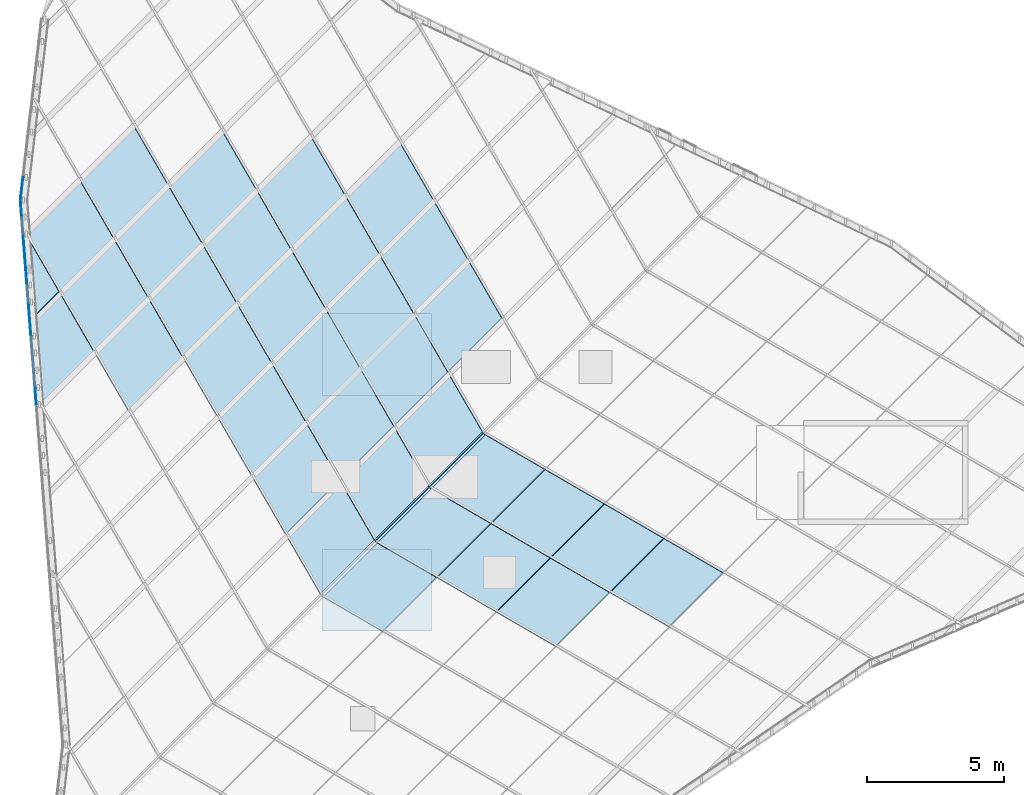
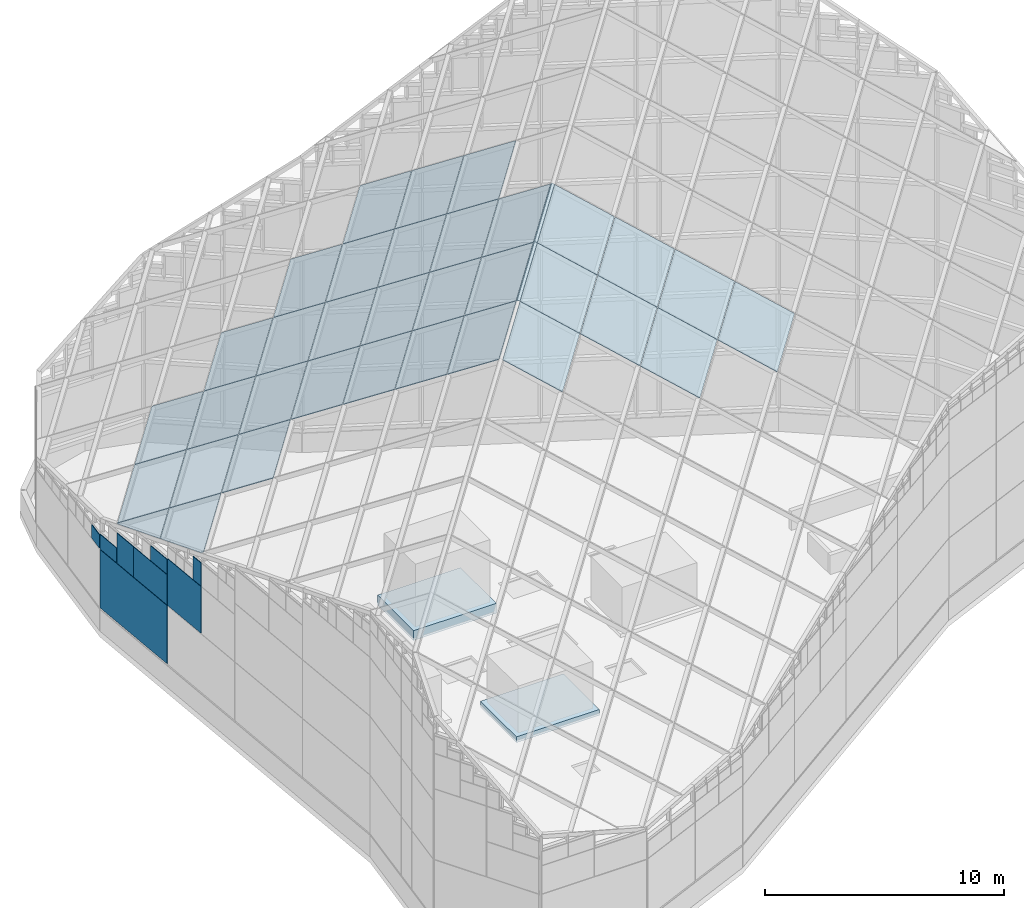
# One storey, part 17 of 29: 46 plates, 2 slabs, 1 element without a shape of its own.
"""IFC4 building model written with IfcOpenShell, lengths in metres."""

from ifc_helpers import new_model, si_unit, direction, frame, origin, place, context, subcontext, project, spatial, polyline, outline, extrude, material, layer, layer_set, type_object, element, aggregate, save


model = new_model("IFC4")

# Units and contexts
model_context = context("Model", 3, precision=1e-05, world=origin(), true_north=direction((0.0, 1.0)))
body_context = subcontext(model_context, "Body", "Model", "MODEL_VIEW")
ifc_project = project(units=[si_unit("LENGTHUNIT", "METRE"), si_unit("AREAUNIT", "SQUARE_METRE"), si_unit("VOLUMEUNIT", "CUBIC_METRE"), si_unit("PLANEANGLEUNIT", "RADIAN"), si_unit("MASSUNIT", "GRAM", prefix="KILO")], contexts=[model_context])

# Site, building, storey
site_placement = place(None, origin())
site = spatial("IfcSite", under=ifc_project, at=site_placement, CompositionType="ELEMENT")
building_placement = place(site_placement, origin())
building = spatial("IfcBuilding", under=site, at=building_placement, Name="Tanit Gate Tower", CompositionType="ELEMENT")
storey_placement = place(building_placement, frame((0.0, 0.0, 445.300048828125)))
storey = spatial("IfcBuildingStorey", under=building, at=storey_placement, Name="ROOF", CompositionType="ELEMENT", Elevation=445.300048828125)

# Slabs
ifc_material_1 = material(Name="Concrete C30/37", Category="concrete")
ifc_layer_1 = layer(ifc_material_1, 0.300048828125)
ifc_layer_set_1 = layer_set([ifc_layer_1], Name="EQUIPMENT PLINTH 300 C30/37")
slab_type_1 = type_object("IfcSlabType", Name="EQUIPMENT PLINTH 300 C30/37", PredefinedType="USERDEFINED", material=ifc_layer_set_1)
slab_1_placement = place(storey_placement, origin())
element("IfcSlab", 1, at=slab_1_placement, inside=storey, type_object=slab_type_1, Name="Air handling unit plinth 3", ObjectType="EQUIPMENT PLINTH", PredefinedType="USERDEFINED", context=body_context, shape_type="SweptSolid", body=[
    extrude(outline(polyline([(-4.5, -5.800048828125), (-0.5, -5.800048828125), (-0.5, -2.800048828125), (-4.5, -2.800048828125), (-4.5, -5.800048828125)])), origin(), (0.0, 0.0, 1.0), 0.300048828125),
])
ifc_material_2 = material(Name="Concrete C40/50", Category="concrete")
ifc_layer_2 = layer(ifc_material_2, 0.5)
ifc_layer_set_2 = layer_set([ifc_layer_2], Name="EQUIPMENT PLINTH 500 C40/50")
slab_type_2 = type_object("IfcSlabType", Name="EQUIPMENT PLINTH 500 C40/50", PredefinedType="USERDEFINED", material=ifc_layer_set_2)
slab_2_placement = place(storey_placement, origin())
element("IfcSlab", 2, at=slab_2_placement, inside=storey, type_object=slab_type_2, Name="Cooling tower plinth 2", ObjectType="EQUIPMENT PLINTH", PredefinedType="USERDEFINED", context=body_context, shape_type="SweptSolid", body=[
    extrude(outline(polyline([(-4.5, 2.800048828125), (-0.5, 2.800048828125), (-0.5, 5.800048828125), (-4.5, 5.800048828125), (-4.5, 2.800048828125)])), origin(), (0.0, 0.0, 1.0), 0.5),
])

# Curtain wall, plates
ifc_material_3 = material(Name="Aluminium bronze anodised and glass", Category="aluminium")
curtain_wall_type = type_object("IfcCurtainWallType", Name="Curtain wall crown roof", PredefinedType="NOTDEFINED", material=ifc_material_3)
curtain_wall_placement = place(storey_placement, origin())
curtain_wall = element("IfcCurtainWall", 3, at=curtain_wall_placement, inside=storey, type_object=curtain_wall_type, Name="Crown lantern", PredefinedType="NOTDEFINED")
ifc_material_4 = material(Name="Glass tinted laminated safety", Category="glass")
ifc_layer_3 = layer(ifc_material_4, 0.033935546875)
ifc_layer_set_3 = layer_set([ifc_layer_3], Name="Glass panel 34 crown roof")
plate_type = type_object("IfcPlateType", Name="Glass panel 34 crown roof", PredefinedType="CURTAIN_PANEL", material=ifc_layer_set_3)
plate_1_placement = place(storey_placement, frame((-15.428466796875, 10.778076171875, 4.21484375), z_axis=(-0.993225154196, 0.116205822022, 0.0), x_axis=(-0.116205822022, -0.993225154196, 0.0)))
plate_1 = element("IfcPlate", 4, at=plate_1_placement, type_object=plate_type, Name="Lantern clerestory glass 13.2.4", PredefinedType="CURTAIN_PANEL", context=body_context, shape_type="SweptSolid", body=[
    extrude(outline(polyline([(0.0, 0.0), (0.8025563360505868, 0.0), (0.8025563360505868, 0.691162109375), (0.0, 0.691162109375), (0.0, 0.0)])), origin(), (0.0, 0.0, -1.0), 0.033935546875),
])
plate_2_placement = place(storey_placement, frame((-15.52294921875, 9.925048828125, 1.21484375), z_axis=(-0.996965543394, -0.077844108862, 0.0), x_axis=(0.077844108862, -0.996965543394, 0.0)))
plate_2 = element("IfcPlate", 5, at=plate_2_placement, type_object=plate_type, Name="Lantern clerestory glass 14.1.1", PredefinedType="CURTAIN_PANEL", context=body_context, shape_type="SweptSolid", body=[
    extrude(outline(polyline([(0.0, 0.0), (4.961588929426632, 0.0), (4.961588929426632, 2.97021484375), (0.0, 2.97021484375), (0.0, 0.0)])), origin(), (0.0, 0.0, -1.0), 0.033935546875),
])
plate_3_placement = place(storey_placement, frame((-15.52294921875, 9.925048828125, 4.21484375), z_axis=(-0.996970162903, -0.077784923227, 0.0), x_axis=(0.077784923227, -0.996970162903, 0.0)))
plate_3 = element("IfcPlate", 6, at=plate_3_placement, type_object=plate_type, Name="Lantern clerestory glass 14.2.1", PredefinedType="CURTAIN_PANEL", context=body_context, shape_type="SweptSolid", body=[
    extrude(outline(polyline([(0.0, 0.0), (1.217801066974618, 0.0), (1.217801066974618, 0.7539062500000002), (0.0, 0.7539062500000002), (0.0, 0.0)])), origin(), (0.0, 0.0, -1.0), 0.033935546875),
])
plate_4_placement = place(storey_placement, frame((-15.42578125, 8.680908203125, 4.21484375), z_axis=(-0.996970162903, -0.077784923227, 0.0), x_axis=(0.077784923227, -0.996970162903, 0.0)))
plate_4 = element("IfcPlate", 7, at=plate_4_placement, type_object=plate_type, Name="Lantern clerestory glass 14.2.3", PredefinedType="CURTAIN_PANEL", context=body_context, shape_type="SweptSolid", body=[
    extrude(outline(polyline([(0.0, 0.0), (1.217801066974618, 0.0), (1.217801066974618, 1.5378417968750004), (0.0, 1.5378417968750004), (0.0, 0.0)])), origin(), (0.0, 0.0, -1.0), 0.033935546875),
])
plate_5_placement = place(storey_placement, frame((-15.32861328125, 7.436767578125, 4.21484375), z_axis=(-0.996967064804, -0.077824621406, 0.0), x_axis=(0.077824621406, -0.996967064804, 0.0)))
plate_5 = element("IfcPlate", 8, at=plate_5_placement, type_object=plate_type, Name="Lantern clerestory glass 14.2.4", PredefinedType="CURTAIN_PANEL", context=body_context, shape_type="SweptSolid", body=[
    extrude(outline(polyline([(0.0, 0.0), (2.465730353499047, 0.0), (2.465730353499047, 1.537841796875), (0.0, 1.537841796875), (0.0, 0.0)])), origin(), (0.0, 0.0, -1.0), 0.033935546875),
])
plate_6_placement = place(storey_placement, frame((-15.2314453125, 6.19287109375, 5.78271484375), z_axis=(-0.996971375522, -0.077769379514, 0.0), x_axis=(0.077769379514, -0.996971375522, 0.0)))
plate_6 = element("IfcPlate", 9, at=plate_6_placement, type_object=plate_type, Name="Lantern clerestory glass 14.2.6", PredefinedType="CURTAIN_PANEL", context=body_context, shape_type="SweptSolid", body=[
    extrude(outline(polyline([(0.0, 0.0), (1.218044468041335, 0.0), (1.218044468041335, 0.75390625), (0.0, 0.75390625), (0.0, 0.0)])), origin(), (0.0, 0.0, -1.0), 0.033935546875),
])
plate_7_placement = place(storey_placement, frame((-15.13427734375, 4.94873046875, 4.21484375), z_axis=(-0.996967064804, -0.077824621406, 0.0), x_axis=(0.077824621406, -0.996967064804, 0.0)))
plate_7 = element("IfcPlate", 10, at=plate_7_placement, type_object=plate_type, Name="Lantern clerestory glass 15.2.1", PredefinedType="CURTAIN_PANEL", context=body_context, shape_type="SweptSolid", body=[
    extrude(outline(polyline([(0.0, 0.0), (2.465730353499047, 0.0), (2.465730353499047, 2.384521484375), (0.0, 2.384521484375), (0.0, 0.0)])), origin(), (0.0, 0.0, -1.0), 0.033935546875),
])
plate_8_placement = place(storey_placement, frame((-14.98876953125, 3.08251953125, 6.62939453125), z_axis=(-0.996944658295, -0.078111127866, 0.0), x_axis=(0.078111127866, -0.996944658295, 0.0)))
plate_8 = element("IfcPlate", 11, at=plate_8_placement, type_object=plate_type, Name="Lantern clerestory glass 15.2.5", PredefinedType="CURTAIN_PANEL", context=body_context, shape_type="SweptSolid", body=[
    extrude(outline(polyline([(0.0, 0.0), (0.5938554469386242, 0.0), (0.5938554469386242, 1.17724609375), (0.0, 1.17724609375), (0.0, 0.0)])), origin(), (0.0, 0.0, -1.0), 0.033935546875),
])
plate_9_placement = place(storey_placement, frame((-14.8154296875, 2.46630859375, 8.359130859375), z_axis=(-0.624463159537, 0.207460219347, 0.752998021093), x_axis=(0.658431536765, 0.658412393376, 0.364638220215)))
plate_9 = element("IfcPlate", 12, at=plate_9_placement, type_object=plate_type, Name="Lantern roof glass E4.6.1", PredefinedType="CURTAIN_PANEL", context=body_context, shape_type="SweptSolid", body=[
    extrude(outline(polyline([(0.0, 0.0), (2.9960583474133586, 2.220446049250313e-16), (2.996061134780481, 2.9718891297130994), (1.4228423909144539, 2.9717649176249408), (8.475129187766883e-05, 0.1943070774140503), (0.0, 0.0)])), origin(), (0.0, 0.0, -1.0), 0.033935546875),
])
plate_10_placement = place(storey_placement, frame((-15.12939453125, 5.5830078125, 7.239990234375), z_axis=(-0.624501270792, 0.207438304616, 0.752972451393), x_axis=(0.658389167262, 0.658442959953, 0.364659530138)))
plate_10 = element("IfcPlate", 13, at=plate_10_placement, type_object=plate_type, Name="Lantern roof glass E4.7.1", PredefinedType="CURTAIN_PANEL", context=body_context, shape_type="SweptSolid", body=[
    extrude(outline(polyline([(0.0, 0.0), (1.5588109494562632, 0.0), (1.5587369286564021, 2.9719917039553763), (1.5225839076780687, 2.971853246578621), (0.0, 0.0)])), origin(), (0.0, 0.0, -1.0), 0.033935546875),
])
plate_11_placement = place(storey_placement, frame((-10.855712890625, 6.393798828125, 10.56103515625), z_axis=(-0.624491565552, 0.207467895005, 0.752972348162), x_axis=(-0.658417167069, -0.658417167069, -0.364655547356)))
plate_11 = element("IfcPlate", 14, at=plate_11_placement, type_object=plate_type, Name="Lantern roof glass E5.5.1", PredefinedType="CURTAIN_PANEL", context=body_context, shape_type="SweptSolid", body=[
    extrude(outline(polyline([(0.0, 0.0), (2.9960583482065744, -1.1102230246251565e-16), (2.9960611334161062, 2.971889131192224), (2.7852095315639147e-06, 2.9718891311922246), (0.0, 0.0)])), origin(), (0.0, 0.0, -1.0), 0.033935546875),
])
plate_12_placement = place(storey_placement, frame((-12.1162109375, 8.564208984375, 8.917724609375), z_axis=(-0.624488397368, 0.207431984172, 0.752984869367), x_axis=(-0.658416942451, -0.658402804614, -0.364681884347)))
plate_12 = element("IfcPlate", 15, at=plate_12_placement, type_object=plate_type, Name="Lantern roof glass E5.6.1", PredefinedType="CURTAIN_PANEL", context=body_context, shape_type="SweptSolid", body=[
    extrude(outline(polyline([(0.0, 0.0), (2.9957368576623358, 0.0), (2.995826910035732, 2.972065768656991), (-0.00023143682266457688, 2.9719916971389386), (0.0, 0.0)])), origin(), (0.0, 0.0, -1.0), 0.033935546875),
])
plate_13_placement = place(storey_placement, frame((-13.37646484375, 10.73486328125, 7.2744140625), z_axis=(-0.624482419816, 0.207467295153, 0.75298009853), x_axis=(-0.658422445825, -0.658415413377, -0.364649182449)))
plate_13 = element("IfcPlate", 16, at=plate_13_placement, type_object=plate_type, Name="Lantern roof glass E5.7.1", PredefinedType="CURTAIN_PANEL", context=body_context, shape_type="SweptSolid", body=[
    extrude(outline(polyline([(0.0, 0.0), (2.996058348099536, 2.220446049250313e-16), (2.996061133523144, 2.9718891310843154), (0.00016353137413971375, 2.972065765850422), (0.0, 0.0)])), origin(), (0.0, 0.0, -1.0), 0.033935546875),
])
plate_14_placement = place(storey_placement, frame((-4.55810546875, -4.4443359375, 18.7705078125), z_axis=(-0.624506751657, 0.207509201866, 0.752948370259), x_axis=(0.658422447097, 0.658415412669, 0.364649181432)))
plate_14 = element("IfcPlate", 17, at=plate_14_placement, type_object=plate_type, Name="Lantern roof glass E6.1.2", PredefinedType="CURTAIN_PANEL", context=body_context, shape_type="SweptSolid", body=[
    extrude(outline(polyline([(0.0, 0.0), (2.996058348099493, 2.220446049250313e-16), (2.995818820293933, 2.9839698159610473), (-7.878185520171499e-05, 2.984146447793145), (0.0, 0.0)])), origin(), (0.0, 0.0, -1.0), 0.033935546875),
])
plate_15_placement = place(storey_placement, frame((-5.099609375, 1.857666015625, 16.5849609375), z_axis=(-0.624514381981, 0.207476734284, 0.75295098873), x_axis=(-0.658392173404, -0.658445460415, -0.364649587494)))
plate_15 = element("IfcPlate", 18, at=plate_15_placement, type_object=plate_type, Name="Lantern roof glass E6.2.1", PredefinedType="CURTAIN_PANEL", context=body_context, shape_type="SweptSolid", body=[
    extrude(outline(polyline([(0.0, 0.0), (2.995897605741668, 0.0), (2.995913107717741, 2.972022870823603), (1.5514985597042674e-05, 2.9723020668208155), (0.0, 0.0)])), origin(), (0.0, 0.0, -1.0), 0.033935546875),
])
plate_16_placement = place(storey_placement, frame((-6.35986328125, 4.028076171875, 14.941650390625), z_axis=(-0.624517550137, 0.207512645532, 0.752938464627), x_axis=(-0.658417167069, -0.658417167069, -0.364655547356)))
plate_16 = element("IfcPlate", 19, at=plate_16_placement, type_object=plate_type, Name="Lantern roof glass E6.3.1", PredefinedType="CURTAIN_PANEL", context=body_context, shape_type="SweptSolid", body=[
    extrude(outline(polyline([(0.0, 0.0), (2.9960583482065744, 0.0), (2.995972106182865, 2.9720228713480514), (-8.62420237096595e-05, 2.9720228713480514), (0.0, 0.0)])), origin(), (0.0, 0.0, -1.0), 0.033935546875),
])
plate_17_placement = place(storey_placement, frame((-7.6201171875, 6.198486328125, 13.29833984375), z_axis=(-0.624475211323, 0.207509870865, 0.752974344807), x_axis=(-0.658466372905, -0.65836639006, -0.36465837738)))
plate_17 = element("IfcPlate", 20, at=plate_17_placement, type_object=plate_type, Name="Lantern roof glass E6.4.1", PredefinedType="CURTAIN_PANEL", context=body_context, shape_type="SweptSolid", body=[
    extrude(outline(polyline([(0.0, 0.0), (2.9958976067232035, -3.3306690738754696e-16), (2.995796877685517, 2.972199501462076), (-0.000172435095469603, 2.971889125445094), (0.0, 0.0)])), origin(), (0.0, 0.0, -1.0), 0.033935546875),
])
plate_18_placement = place(storey_placement, frame((-8.880615234375, 8.369140625, 11.655029296875), z_axis=(-0.624488397368, 0.207431984172, 0.752984869367), x_axis=(-0.658392170723, -0.65844546253, -0.364649588515)))
plate_18 = element("IfcPlate", 21, at=plate_18_placement, type_object=plate_type, Name="Lantern roof glass E6.5.1", PredefinedType="CURTAIN_PANEL", context=body_context, shape_type="SweptSolid", body=[
    extrude(outline(polyline([(0.0, 0.0), (2.995897605741961, -1.1102230246251565e-16), (2.996002139727374, 2.971889127619991), (0.00010454699610806806, 2.972168336180223), (0.0, 0.0)])), origin(), (0.0, 0.0, -1.0), 0.033935546875),
])
plate_19_placement = place(storey_placement, frame((-10.140869140625, 10.53955078125, 10.01171875), z_axis=(-0.624491565552, 0.207467895005, 0.752972348162), x_axis=(-0.658417167069, -0.658417167069, -0.364655547356)))
plate_19 = element("IfcPlate", 22, at=plate_19_placement, type_object=plate_type, Name="Lantern roof glass E6.6.1", PredefinedType="CURTAIN_PANEL", context=body_context, shape_type="SweptSolid", body=[
    extrude(outline(polyline([(0.0, 0.0), (2.9960583482065744, -1.1102230246251565e-16), (2.9960611334161062, 2.971889131192224), (2.7852095315639147e-06, 2.9718891311922246), (0.0, 0.0)])), origin(), (0.0, 0.0, -1.0), 0.033935546875),
])
plate_20_placement = place(storey_placement, frame((-11.401123046875, 12.7099609375, 8.368408203125), z_axis=(-0.624482419816, 0.207467295153, 0.75298009853), x_axis=(-0.65844721454, -0.658372755719, -0.364681477719)))
plate_20 = element("IfcPlate", 23, at=plate_20_placement, type_object=plate_type, Name="Lantern roof glass E6.7.1", PredefinedType="CURTAIN_PANEL", context=body_context, shape_type="SweptSolid", body=[
    extrude(outline(polyline([(0.0, 0.0), (2.995897607356099, -1.1102230246251565e-16), (2.9958859090625203, 2.972065770326376), (-0.00017243382964271525, 2.971889126083176), (0.0, 0.0)])), origin(), (0.0, 0.0, -1.0), 0.033935546875),
])
plate_21_placement = place(storey_placement, frame((-0.608642578125, -0.49951171875, 20.959228515625), z_axis=(-0.624483772663, 0.207408873625, 0.752995070915), x_axis=(-0.65840127808, -0.65842244454, -0.364674706484)))
plate_21 = element("IfcPlate", 24, at=plate_21_placement, type_object=plate_type, Name="Lantern roof glass E7.1.1", PredefinedType="CURTAIN_PANEL", context=body_context, shape_type="SweptSolid", body=[
    extrude(outline(polyline([(0.0, 0.0), (2.996058347236774, 0.0), (2.995969520886642, 0.05843625589094359), (7.191614939915277e-05, 0.058333679698266305), (0.0, 0.0)])), origin(), (0.0, 0.0, -1.0), 0.033935546875),
])
plate_22_placement = place(storey_placement, frame((-2.5830078125, -2.46923828125, 19.864501953125), z_axis=(-0.624536237954, 0.207499222349, 0.752926663233), x_axis=(0.65840127541, 0.658422447282, 0.364674706353)))
plate_22 = element("IfcPlate", 25, at=plate_22_placement, type_object=plate_type, Name="Lantern roof glass E7.1.2", PredefinedType="CURTAIN_PANEL", context=body_context, shape_type="SweptSolid", body=[
    extrude(outline(polyline([(0.0, 0.0), (2.996058347236611, 2.220446049250313e-16), (2.9959795675354757, 2.984146446926876), (8.196279774375093e-05, 2.9840438897739823), (0.0, 0.0)])), origin(), (0.0, 0.0, -1.0), 0.033935546875),
])
plate_23_placement = place(storey_placement, frame((-3.124267578125, 3.832763671875, 17.678955078125), z_axis=(-0.624508403024, 0.207512046121, 0.752946216716), x_axis=(-0.658447213181, -0.658372756476, -0.364681478806)))
plate_23 = element("IfcPlate", 26, at=plate_23_placement, type_object=plate_type, Name="Lantern roof glass E7.2.1", PredefinedType="CURTAIN_PANEL", context=body_context, shape_type="SweptSolid", body=[
    extrude(outline(polyline([(0.0, 0.0), (2.995897607356053, 0.0), (2.995796877052689, 2.972199502099929), (-0.00026146583961272896, 2.972022860990062), (0.0, 0.0)])), origin(), (0.0, 0.0, -1.0), 0.033935546875),
])
plate_24_placement = place(storey_placement, frame((-4.384521484375, 6.00341796875, 16.03564453125), z_axis=(-0.624508403024, 0.207512046121, 0.752946216716), x_axis=(-0.658422447183, -0.658415412621, -0.364649181363)))
plate_24 = element("IfcPlate", 27, at=plate_24_placement, type_object=plate_type, Name="Lantern roof glass E7.3.1", PredefinedType="CURTAIN_PANEL", context=body_context, shape_type="SweptSolid", body=[
    extrude(outline(polyline([(0.0, 0.0), (2.9960583480994902, -2.220446049250313e-16), (2.9959721062899467, 2.9720228712401067), (7.45041408032332e-05, 2.972199502873047), (0.0, 0.0)])), origin(), (0.0, 0.0, -1.0), 0.033935546875),
])
plate_25_placement = place(storey_placement, frame((-5.64501953125, 8.173828125, 14.392333984375), z_axis=(-0.624497541638, 0.207432583406, 0.75297712039), x_axis=(-0.658401277379, -0.658422445259, -0.36467470645)))
plate_25 = element("IfcPlate", 28, at=plate_25_placement, type_object=plate_type, Name="Lantern roof glass E7.4.1", PredefinedType="CURTAIN_PANEL", context=body_context, shape_type="SweptSolid", body=[
    extrude(outline(polyline([(0.0, 0.0), (2.996058347236732, 0.0), (2.995900388007219, 2.971991701410875), (2.783269846928782e-06, 2.971889130214496), (0.0, 0.0)])), origin(), (0.0, 0.0, -1.0), 0.033935546875),
])
plate_26_placement = place(storey_placement, frame((-6.9052734375, 10.34423828125, 12.7490234375), z_axis=(-0.624482419816, 0.207467295153, 0.75298009853), x_axis=(-0.65844721454, -0.658372755719, -0.364681477719)))
plate_26 = element("IfcPlate", 29, at=plate_26_placement, type_object=plate_type, Name="Lantern roof glass E7.5.1", PredefinedType="CURTAIN_PANEL", context=body_context, shape_type="SweptSolid", body=[
    extrude(outline(polyline([(0.0, 0.0), (2.995897607356099, -1.1102230246251565e-16), (2.9958859090625203, 2.972065770326376), (-0.00017243382964271525, 2.971889126083176), (0.0, 0.0)])), origin(), (0.0, 0.0, -1.0), 0.033935546875),
])
plate_27_placement = place(storey_placement, frame((-8.16552734375, 12.514892578125, 11.105712890625), z_axis=(-0.624482419816, 0.207467295153, 0.75298009853), x_axis=(-0.658422445825, -0.658415413377, -0.364649182449)))
plate_27 = element("IfcPlate", 30, at=plate_27_placement, type_object=plate_type, Name="Lantern roof glass E7.6.1", PredefinedType="CURTAIN_PANEL", context=body_context, shape_type="SweptSolid", body=[
    extrude(outline(polyline([(0.0, 0.0), (2.996058348099536, 2.220446049250313e-16), (2.996061133523144, 2.9718891310843154), (0.00016353137413971375, 2.972065765850422), (0.0, 0.0)])), origin(), (0.0, 0.0, -1.0), 0.033935546875),
])
plate_28_placement = place(storey_placement, frame((1.36669921875, 1.475830078125, 22.05322265625), z_axis=(-0.62501553161, 0.208370909693, 0.752287943037), x_axis=(-0.658417167069, -0.658417167069, -0.364655547356)))
plate_28 = element("IfcPlate", 31, at=plate_28_placement, type_object=plate_type, Name="Lantern roof glass E8.1.1", PredefinedType="CURTAIN_PANEL", context=body_context, shape_type="SweptSolid", body=[
    extrude(outline(polyline([(0.0, 0.0), (2.9960583482065744, 1.1102230246251565e-16), (2.9961302662955505, 0.058333729505454346), (7.191808897581177e-05, 0.05833372950545447), (0.0, 0.0)])), origin(), (0.0, 0.0, -1.0), 0.033935546875),
])
plate_29_placement = place(storey_placement, frame((-0.607666015625, -0.493896484375, 20.95849609375), z_axis=(-0.62450875241, 0.207497493756, 0.752949937412), x_axis=(0.658417167069, 0.658417167069, 0.364655547356)))
plate_29 = element("IfcPlate", 32, at=plate_29_placement, type_object=plate_type, Name="Lantern roof glass E8.1.2", PredefinedType="CURTAIN_PANEL", context=body_context, shape_type="SweptSolid", body=[
    extrude(outline(polyline([(0.0, 0.0), (2.9960583482065744, -1.1102230246251565e-16), (2.995979566565538, 2.9841464479006596), (-7.878164103580776e-05, 2.9841464479006596), (0.0, 0.0)])), origin(), (0.0, 0.0, -1.0), 0.033935546875),
])
plate_30_placement = place(storey_placement, frame((-1.14892578125, 5.80810546875, 18.77294921875), z_axis=(-0.624517550137, 0.207512645532, 0.752938464627), x_axis=(-0.658417167069, -0.658417167069, -0.364655547356)))
plate_30 = element("IfcPlate", 33, at=plate_30_placement, type_object=plate_type, Name="Lantern roof glass E8.2.1", PredefinedType="CURTAIN_PANEL", context=body_context, shape_type="SweptSolid", body=[
    extrude(outline(polyline([(0.0, 0.0), (2.9960583482065744, 0.0), (2.995972106182865, 2.9720228713480514), (-8.62420237096595e-05, 2.9720228713480514), (0.0, 0.0)])), origin(), (0.0, 0.0, -1.0), 0.033935546875),
])
plate_31_placement = place(storey_placement, frame((-2.409423828125, 7.978515625, 17.129638671875), z_axis=(-0.624488397368, 0.207431984172, 0.752984869367), x_axis=(-0.658431325452, -0.658378033645, -0.364700636794)))
plate_31 = element("IfcPlate", 34, at=plate_31_placement, type_object=plate_type, Name="Lantern roof glass E8.3.1", PredefinedType="CURTAIN_PANEL", context=body_context, shape_type="SweptSolid", body=[
    extrude(outline(polyline([(0.0, 0.0), (2.995897605741961, 4.440892098500626e-16), (2.995725155673255, 2.972168333016043), (-0.00017243705801106568, 2.971889124455811), (0.0, 0.0)])), origin(), (0.0, 0.0, -1.0), 0.033935546875),
])
plate_32_placement = place(storey_placement, frame((-3.669677734375, 10.149169921875, 15.486328125), z_axis=(-0.624484405654, 0.207455564846, 0.752981683515), x_axis=(-0.658417167069, -0.658417167069, -0.364655547356)))
plate_32 = element("IfcPlate", 35, at=plate_32_placement, type_object=plate_type, Name="Lantern roof glass E8.4.1", PredefinedType="CURTAIN_PANEL", context=body_context, shape_type="SweptSolid", body=[
    extrude(outline(polyline([(0.0, 0.0), (2.9960583482065744, -2.220446049250313e-16), (2.9962218797947853, 2.9720657659583116), (0.0001635315882106969, 2.972065765958312), (0.0, 0.0)])), origin(), (0.0, 0.0, -1.0), 0.033935546875),
])
plate_33_placement = place(storey_placement, frame((-4.929931640625, 12.319580078125, 13.843017578125), z_axis=(-0.624491565552, 0.207467895005, 0.752972348162), x_axis=(-0.658417167069, -0.658417167069, -0.364655547356)))
plate_33 = element("IfcPlate", 36, at=plate_33_placement, type_object=plate_type, Name="Lantern roof glass E8.5.1", PredefinedType="CURTAIN_PANEL", context=body_context, shape_type="SweptSolid", body=[
    extrude(outline(polyline([(0.0, 0.0), (2.9960583482065744, -1.1102230246251565e-16), (2.9960611334161062, 2.971889131192224), (2.7852095315639147e-06, 2.9718891311922246), (0.0, 0.0)])), origin(), (0.0, 0.0, -1.0), 0.033935546875),
])
plate_34_placement = place(storey_placement, frame((0.826171875, 7.783447265625, 19.866943359375), z_axis=(-0.624516368041, 0.207465003444, 0.752952573802), x_axis=(-0.658401276421, -0.658422446243, -0.364674706403)))
plate_34 = element("IfcPlate", 37, at=plate_34_placement, type_object=plate_type, Name="Lantern roof glass E9.2.1", PredefinedType="CURTAIN_PANEL", context=body_context, shape_type="SweptSolid", body=[
    extrude(outline(polyline([(0.0, 0.0), (2.996058347236673, 0.0), (2.9959721071527383, 2.972302066367685), (7.450241519124656e-05, 2.972199502003347), (0.0, 0.0)])), origin(), (0.0, 0.0, -1.0), 0.033935546875),
])
plate_35_placement = place(storey_placement, frame((-0.43408203125, 9.953857421875, 18.2236328125), z_axis=(-0.624491565552, 0.207467895005, 0.752972348162), x_axis=(-0.658417167069, -0.658417167069, -0.364655547356)))
plate_35 = element("IfcPlate", 38, at=plate_35_placement, type_object=plate_type, Name="Lantern roof glass E9.3.1", PredefinedType="CURTAIN_PANEL", context=body_context, shape_type="SweptSolid", body=[
    extrude(outline(polyline([(0.0, 0.0), (2.9960583482065744, -1.1102230246251565e-16), (2.9960611334161062, 2.971889131192224), (2.7852095315639147e-06, 2.9718891311922246), (0.0, 0.0)])), origin(), (0.0, 0.0, -1.0), 0.033935546875),
])
plate_36_placement = place(storey_placement, frame((-1.6943359375, 12.124267578125, 16.580322265625), z_axis=(-0.624491565552, 0.207467895005, 0.752972348162), x_axis=(-0.658417167069, -0.658417167069, -0.364655547356)))
plate_36 = element("IfcPlate", 39, at=plate_36_placement, type_object=plate_type, Name="Lantern roof glass E9.4.1", PredefinedType="CURTAIN_PANEL", context=body_context, shape_type="SweptSolid", body=[
    extrude(outline(polyline([(0.0, 0.0), (2.9960583482065744, -1.1102230246251565e-16), (2.9960611334161062, 2.971889131192224), (2.7852095315639147e-06, 2.9718891311922246), (0.0, 0.0)])), origin(), (0.0, 0.0, -1.0), 0.033935546875),
])
plate_37_placement = place(storey_placement, frame((-2.285400390625, -5.811767578125, 17.1357421875), z_axis=(0.207509201866, -0.624506751657, 0.752948370259), x_axis=(0.658372756428, 0.658447213268, 0.364681478737)))
plate_37 = element("IfcPlate", 40, at=plate_37_placement, type_object=plate_type, Name="Lantern roof glass W8.1.2", PredefinedType="CURTAIN_PANEL", context=body_context, shape_type="SweptSolid", body=[
    extrude(outline(polyline([(0.0, 0.0), (2.995897607356055, 1.1102230246251565e-16), (2.9963130637557627, 2.9839697966528), (0.00025472086347033684, 2.984146437961835), (0.0, 0.0)])), origin(), (0.0, 0.0, -1.0), 0.033935546875),
])
plate_38_placement = place(storey_placement, frame((-0.595458984375, -0.552978515625, 21.03173828125), z_axis=(0.207230113622, -0.624344675808, 0.753159615087), x_axis=(-0.658372751712, -0.658447221738, -0.364681471958)))
plate_38 = element("IfcPlate", 41, at=plate_38_placement, type_object=plate_type, Name="Lantern roof glass W9.1.1", PredefinedType="CURTAIN_PANEL", context=body_context, shape_type="SweptSolid", body=[
    extrude(outline(polyline([(0.0, 0.0), (2.995897607356343, 2.220446049250313e-16), (2.9959840929659056, 0.13234513206038634), (-7.424992552342372e-05, 0.13252179289814547), (0.0, 0.0)])), origin(), (0.0, 0.0, -1.0), 0.033935546875),
])
plate_39_placement = place(storey_placement, frame((-0.310302734375, -3.83642578125, 18.229736328125), z_axis=(0.207499222349, -0.624536237954, 0.752926663233), x_axis=(0.658447213462, 0.658386894825, 0.364655952655)))
plate_39 = element("IfcPlate", 42, at=plate_39_placement, type_object=plate_type, Name="Lantern roof glass W9.1.2", PredefinedType="CURTAIN_PANEL", context=body_context, shape_type="SweptSolid", body=[
    extrude(outline(polyline([(0.0, 0.0), (2.9958976064931275, -1.1102230246251565e-16), (2.995874231313239, 2.9841464478751942), (-0.00018411416788322033, 2.9840438852197386), (0.0, 0.0)])), origin(), (0.0, 0.0, -1.0), 0.033935546875),
])
plate_40_placement = place(storey_placement, frame((1.8603515625, -5.096923828125, 16.58642578125), z_axis=(0.207512046121, -0.624508403024, 0.752946216716), x_axis=(0.658372756476, 0.658447213181, 0.364681478806)))
plate_40 = element("IfcPlate", 43, at=plate_40_placement, type_object=plate_type, Name="Lantern roof glass W9.2.1", PredefinedType="CURTAIN_PANEL", context=body_context, shape_type="SweptSolid", body=[
    extrude(outline(polyline([(0.0, 0.0), (2.995897607356053, 0.0), (2.996159073195665, 2.9720228609900623), (0.00010073030336354982, 2.9721995020999286), (0.0, 0.0)])), origin(), (0.0, 0.0, -1.0), 0.033935546875),
])
plate_41_placement = place(storey_placement, frame((4.03076171875, -6.357177734375, 14.943115234375), z_axis=(0.207512046121, -0.624508403024, 0.752946216716), x_axis=(0.658415412621, 0.658422447183, 0.364649181363)))
plate_41 = element("IfcPlate", 44, at=plate_41_placement, type_object=plate_type, Name="Lantern roof glass W9.3.1", PredefinedType="CURTAIN_PANEL", context=body_context, shape_type="SweptSolid", body=[
    extrude(outline(polyline([(0.0, 0.0), (2.9960583480994902, 2.220446049250313e-16), (2.9959838439586868, 2.9721995028730475), (8.624180954375227e-05, 2.9720228712401067), (0.0, 0.0)])), origin(), (0.0, 0.0, -1.0), 0.033935546875),
])
plate_42_placement = place(storey_placement, frame((1.3798828125, 1.42236328125, 22.125732421875), z_axis=(0.207086435694, -0.624269991312, 0.753261034502), x_axis=(-0.658417167069, -0.658417167069, -0.364655547356)))
plate_42 = element("IfcPlate", 45, at=plate_42_placement, type_object=plate_type, Name="Lantern roof glass W10.1.1", PredefinedType="CURTAIN_PANEL", context=body_context, shape_type="SweptSolid", body=[
    extrude(outline(polyline([(0.0, 0.0), (2.9960583482065744, 0.0), (2.9959762839971624, 0.13252179070392978), (-8.206420941223036e-05, 0.1325217907039298), (0.0, 0.0)])), origin(), (0.0, 0.0, -1.0), 0.033935546875),
])
plate_43_placement = place(storey_placement, frame((1.6650390625, -1.861328125, 19.32373046875), z_axis=(0.207497493756, -0.62450875241, 0.752949937412), x_axis=(0.658417167069, 0.658417167069, 0.364655547356)))
plate_43 = element("IfcPlate", 46, at=plate_43_placement, type_object=plate_type, Name="Lantern roof glass W10.1.2", PredefinedType="CURTAIN_PANEL", context=body_context, shape_type="SweptSolid", body=[
    extrude(outline(polyline([(0.0, 0.0), (2.9960583482065744, 1.1102230246251565e-16), (2.99613712984761, 2.9841464479006596), (7.878164103580776e-05, 2.9841464479006596), (0.0, 0.0)])), origin(), (0.0, 0.0, -1.0), 0.033935546875),
])
plate_44_placement = place(storey_placement, frame((3.83544921875, -3.12158203125, 17.680419921875), z_axis=(0.207512645532, -0.624517550137, 0.752938464627), x_axis=(0.658417167069, 0.658417167069, 0.364655547356)))
plate_44 = element("IfcPlate", 47, at=plate_44_placement, type_object=plate_type, Name="Lantern roof glass W10.2.1", PredefinedType="CURTAIN_PANEL", context=body_context, shape_type="SweptSolid", body=[
    extrude(outline(polyline([(0.0, 0.0), (2.9960583482065744, 0.0), (2.996144590230284, 2.9720228713480514), (8.62420237096595e-05, 2.9720228713480514), (0.0, 0.0)])), origin(), (0.0, 0.0, -1.0), 0.033935546875),
])
plate_45_placement = place(storey_placement, frame((6.006103515625, -4.382080078125, 16.037109375), z_axis=(0.207431984172, -0.624488397368, 0.752984869367), x_axis=(0.658378033645, 0.658431325452, 0.364700636794)))
plate_45 = element("IfcPlate", 48, at=plate_45_placement, type_object=plate_type, Name="Lantern roof glass W10.3.1", PredefinedType="CURTAIN_PANEL", context=body_context, shape_type="SweptSolid", body=[
    extrude(outline(polyline([(0.0, 0.0), (2.995897605741961, -4.440892098500626e-16), (2.9960700427999716, 2.97188912445581), (0.00017245006870603152, 2.972168333016043), (0.0, 0.0)])), origin(), (0.0, 0.0, -1.0), 0.033935546875),
])
plate_46_placement = place(storey_placement, frame((8.176513671875, -5.642333984375, 14.393798828125), z_axis=(0.207455564846, -0.624484405654, 0.752981683515), x_axis=(0.658417167069, 0.658417167069, 0.364655547356)))
plate_46 = element("IfcPlate", 49, at=plate_46_placement, type_object=plate_type, Name="Lantern roof glass W10.4.1", PredefinedType="CURTAIN_PANEL", context=body_context, shape_type="SweptSolid", body=[
    extrude(outline(polyline([(0.0, 0.0), (2.9960583482065744, 2.220446049250313e-16), (2.9958948166183634, 2.9720657659583125), (-0.0001635315882106969, 2.972065765958312), (0.0, 0.0)])), origin(), (0.0, 0.0, -1.0), 0.033935546875),
])
aggregate(curtain_wall, [plate_1, plate_2, plate_3, plate_4, plate_5, plate_6, plate_7, plate_8, plate_9, plate_10, plate_11, plate_12, plate_13, plate_14, plate_15, plate_16, plate_17, plate_18, plate_19, plate_20, plate_21, plate_22, plate_23, plate_24, plate_25, plate_26, plate_27, plate_28, plate_29, plate_30, plate_31, plate_32, plate_33, plate_34, plate_35, plate_36, plate_37, plate_38, plate_39, plate_40, plate_41, plate_42, plate_43, plate_44, plate_45, plate_46])

save(model, "model.ifc")
